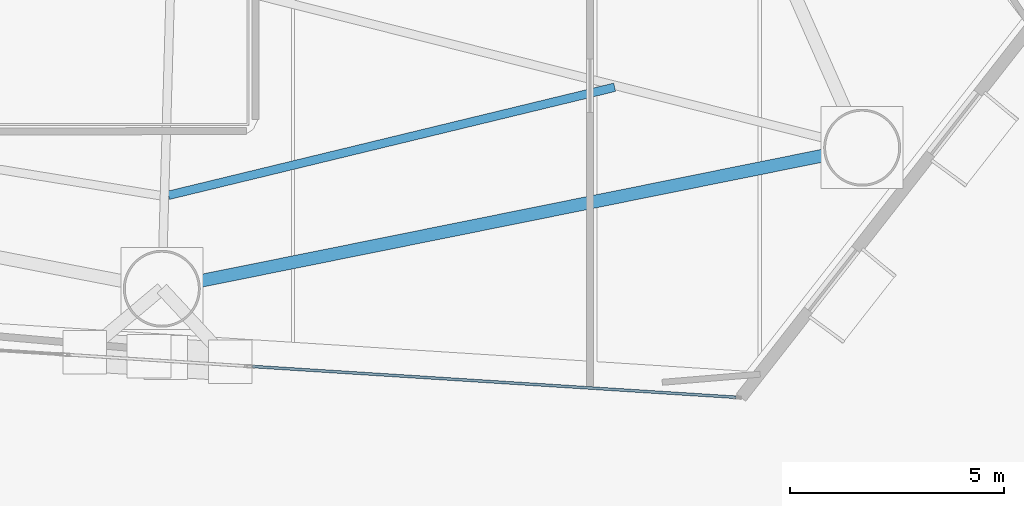
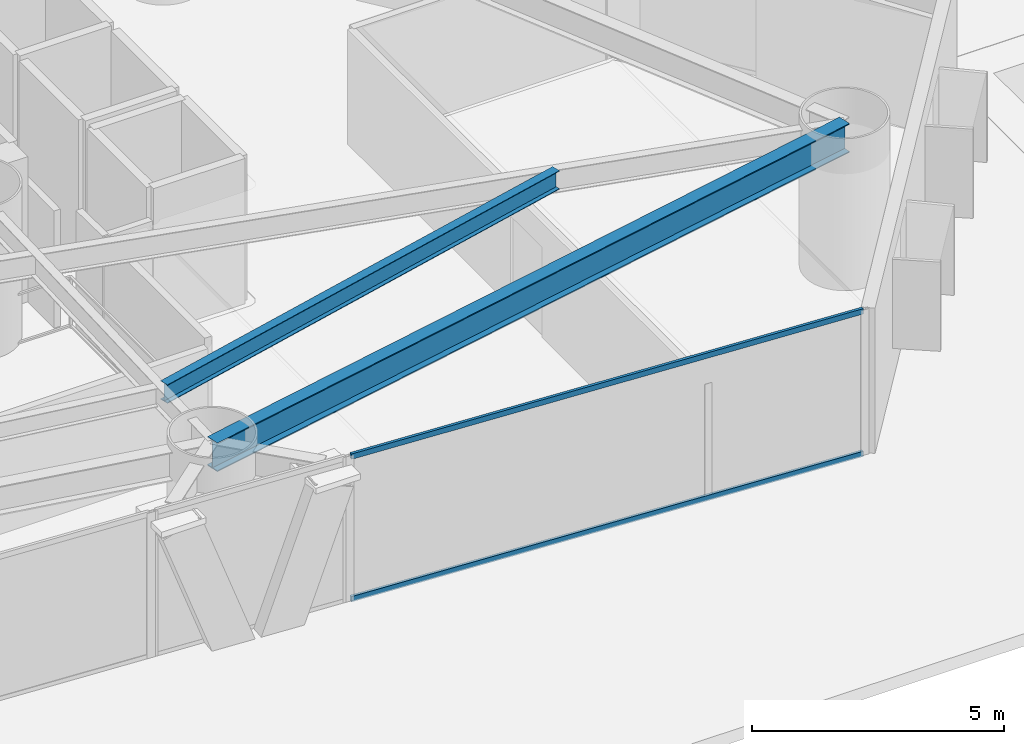
# One storey, part 9 of 22: 2 beams, 2 members, 1 element without a shape of its own.
"""IFC4 building model written with IfcOpenShell, lengths in metres."""

from ifc_helpers import new_model, si_unit, direction, frame, origin, origin_2d, place, context, subcontext, project, spatial, hollow_rectangle, i_section, extrude, material, layer, layer_set, material_profile, profile_set, type_object, element, aggregate, save


model = new_model("IFC4")

# Units and contexts
model_context = context("Model", 3, precision=1e-05, world=origin(), true_north=direction((0.0, 1.0)))
body_context = subcontext(model_context, "Body", "Model", "MODEL_VIEW")
ifc_project = project(units=[si_unit("LENGTHUNIT", "METRE"), si_unit("AREAUNIT", "SQUARE_METRE"), si_unit("VOLUMEUNIT", "CUBIC_METRE"), si_unit("PLANEANGLEUNIT", "RADIAN"), si_unit("MASSUNIT", "GRAM", prefix="KILO")], contexts=[model_context])

# Site, building, storey
site_placement = place(None, origin())
site = spatial("IfcSite", under=ifc_project, at=site_placement, CompositionType="ELEMENT")
building_placement = place(site_placement, origin())
building = spatial("IfcBuilding", under=site, at=building_placement, Name="Qianvela Tower", CompositionType="ELEMENT")
storey_placement = place(building_placement, frame((0.0, 0.0, 25.699951171875)))
storey = spatial("IfcBuildingStorey", under=building, at=storey_placement, Name="L05", CompositionType="ELEMENT", Elevation=25.699951171875)

# Beams
ifc_material_1 = material(Name="Steel Q355B", Category="steel")
ifc_material_profile_1 = material_profile(ifc_material_1, i_section(OverallWidth=0.199951171875, OverallDepth=0.449951171875, WebThickness=0.009033203125, FlangeThickness=0.013916015625, at=origin_2d()), Name="HN450x200x9x14")
ifc_profile_set_1 = profile_set([ifc_material_profile_1], Name="Steel Q355B")
beam_type_1 = type_object("IfcBeamType", Name="BM-HN450-JOIST", PredefinedType="JOIST", material=ifc_profile_set_1)
beam_1_placement = place(storey_placement, frame((38.27490234375, 16.2021484375, 3.29296875), z_axis=(0.97189533292, 0.235413385024, 0.0), x_axis=(-0.235413385024, 0.97189533292, 0.0)))
element("IfcBeam", 1, at=beam_1_placement, inside=storey, type_object=beam_type_1, Name="L05 Secondary Composite Floor Joist 6.3", PredefinedType="JOIST", context=body_context, shape_type="SweptSolid", body=[
    extrude(i_section(OverallWidth=0.199951171875, OverallDepth=0.449951171875, WebThickness=0.009033203125, FlangeThickness=0.013916015625, at=origin_2d()), origin(), (0.0, 0.0, 1.0), 10.7451171875),
])
ifc_material_2 = material(Name="Steel Q355B", Category="steel")
ifc_material_profile_2 = material_profile(ifc_material_2, i_section(OverallWidth=0.300048828125, OverallDepth=0.699951171875, WebThickness=0.012939453125, FlangeThickness=0.02392578125, at=origin_2d()), Name="HN700x300x13x24")
ifc_profile_set_2 = profile_set([ifc_material_profile_2], Name="Steel Q355B")
beam_type_2 = type_object("IfcBeamType", Name="BM-HN700-SPAND", PredefinedType="SPANDREL", material=ifc_profile_set_2)
beam_2_placement = place(storey_placement, frame((38.1201171875, 14.01611328125, 3.16796875), z_axis=(0.980322065881, 0.197404779951, 0.0), x_axis=(-0.197404779951, 0.980322065881, 0.0)))
element("IfcBeam", 2, at=beam_2_placement, inside=storey, type_object=beam_type_2, Name="L05 Perimeter Ring Spandrel Girder 6", PredefinedType="SPANDREL", context=body_context, shape_type="SweptSolid", body=[
    extrude(i_section(OverallWidth=0.300048828125, OverallDepth=0.699951171875, WebThickness=0.012939453125, FlangeThickness=0.02392578125, at=origin_2d()), origin(), (0.0, 0.0, 1.0), 16.720947265625),
])

# Curtain wall, members
ifc_material_3 = material(Name="Anodised Architectural Aluminium and Low-E Glass", Category="aluminium")
ifc_layer = layer(ifc_material_3, 0.179931640625)
ifc_layer_set = layer_set([ifc_layer], Name="Anodised Architectural Aluminium and Low-E Glass")
curtain_wall_type = type_object("IfcCurtainWallType", Name="CW-COLIV-Z12", PredefinedType="USERDEFINED", material=ifc_layer_set)
curtain_wall_placement = place(storey_placement, origin())
curtain_wall = element("IfcCurtainWall", 3, at=curtain_wall_placement, inside=storey, type_object=curtain_wall_type, Name="L05 CW-COLIV-Z12 Curtain Wall 06C", ObjectType="CURTAIN_WALL_SYSTEM", PredefinedType="USERDEFINED")
ifc_material_4 = material(Name="Anodised Architectural Aluminium 6063-T6", Category="aluminium")
ifc_material_profile_3 = material_profile(ifc_material_4, hollow_rectangle(XDim=0.06494140625, YDim=0.1298828125, WallThickness=0.00439453125, at=origin_2d()), Name="ALU-TRAN-65x130")
ifc_profile_set_3 = profile_set([ifc_material_profile_3], Name="Anodised Architectural Aluminium 6063-T6")
member_type = type_object("IfcMemberType", Name="CW-COLIV-Z12-TRAN", PredefinedType="USERDEFINED", material=ifc_profile_set_3)
member_1_placement = place(storey_placement, frame((40.239990234375, 12.196533203125, 0.032470703125), z_axis=(0.997974990829, -0.06360752849, 0.0), x_axis=(0.06360752849, 0.997974990829, 0.0)))
member_1 = element("IfcMember", 4, at=member_1_placement, type_object=member_type, Name="CW-3 transom 1.1", ObjectType="TRANSOM", PredefinedType="USERDEFINED", context=body_context, shape_type="SweptSolid", body=[
    extrude(hollow_rectangle(XDim=0.06494140625, YDim=0.1298828125, WallThickness=0.00439453125, at=origin_2d()), origin(), (0.0, 0.0, 1.0), 11.338134765625),
])
member_2_placement = place(storey_placement, frame((40.239990234375, 12.196533203125, 3.487548828125), z_axis=(0.997974990829, -0.06360752849, 0.0), x_axis=(0.06360752849, 0.997974990829, 0.0)))
member_2 = element("IfcMember", 5, at=member_2_placement, type_object=member_type, Name="CW-3 transom 1.2", ObjectType="TRANSOM", PredefinedType="USERDEFINED", context=body_context, shape_type="SweptSolid", body=[
    extrude(hollow_rectangle(XDim=0.06494140625, YDim=0.1298828125, WallThickness=0.00439453125, at=origin_2d()), origin(), (0.0, 0.0, 1.0), 11.338134765625),
])
aggregate(curtain_wall, [member_1, member_2])

save(model, "model.ifc")
